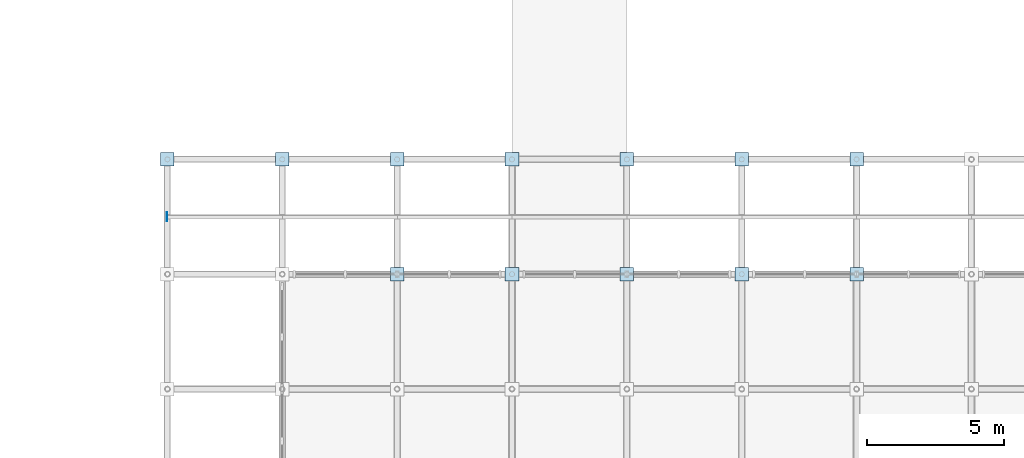
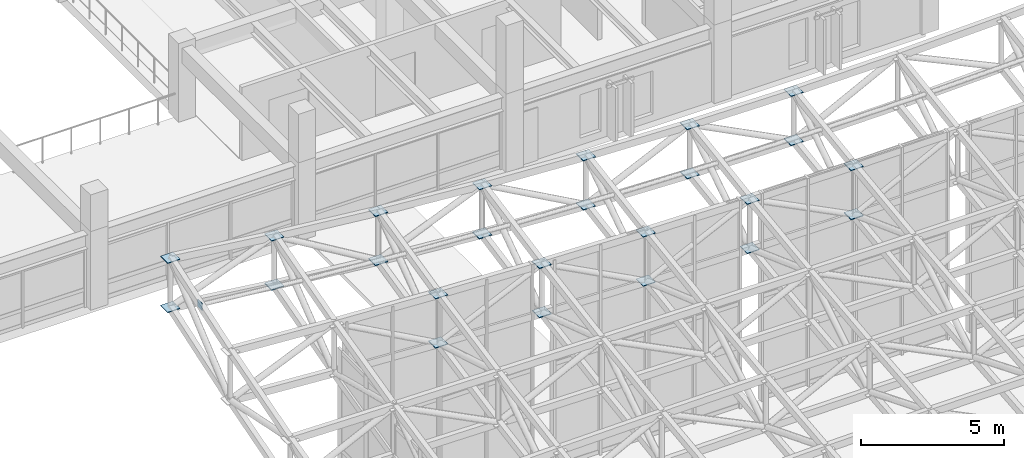
# One storey, part 79 of 123: 25 plates.
"""IFC4 building model written with IfcOpenShell, lengths in metres."""

from ifc_helpers import new_model, si_unit, direction, frame, origin, origin_2d, place, context, subcontext, project, spatial, rectangle, extrude, material, layer, layer_set, type_object, element, save


model = new_model("IFC4")

# Units and contexts
model_context = context("Model", 3, precision=1e-05, world=origin(), true_north=direction((0.0, 1.0)))
body_context = subcontext(model_context, "Body", "Model", "MODEL_VIEW")
ifc_project = project(units=[si_unit("LENGTHUNIT", "METRE"), si_unit("AREAUNIT", "SQUARE_METRE"), si_unit("VOLUMEUNIT", "CUBIC_METRE"), si_unit("PLANEANGLEUNIT", "RADIAN"), si_unit("MASSUNIT", "GRAM", prefix="KILO")], contexts=[model_context])

# Site, building, storey
site_placement = place(None, origin())
site = spatial("IfcSite", under=ifc_project, at=site_placement, CompositionType="ELEMENT")
building_placement = place(site_placement, origin())
building = spatial("IfcBuilding", under=site, at=building_placement, Name="Cumbredor Promenade Congress Hotel", CompositionType="ELEMENT")
storey_placement = place(building_placement, frame((0.0, 0.0, 11.760009765625)))
storey = spatial("IfcBuildingStorey", under=building, at=storey_placement, Name="L03", CompositionType="ELEMENT", Elevation=11.760009765625)

# Plates
ifc_material = material(Name="Steel ASTM A572 Grade 50", Category="steel")
ifc_layer_1 = layer(ifc_material, 0.02001953125, Name="Steel ASTM A572 Grade 50", Category="steel")
ifc_layer_set_1 = layer_set([ifc_layer_1], Name="Steel ASTM A572 Grade 50")
plate_type_1 = type_object("IfcPlateType", Name="Hollow Section End Cap Plate CP-05", PredefinedType="USERDEFINED", material=ifc_layer_set_1)
plate_placement = place(storey_placement, frame((138.592041015625, 69.300048828125, 10.1298828125), z_axis=(0.0, 0.0, 1.0), x_axis=(1.0, 0.0, 0.0)))
element("IfcPlate", 1, at=plate_placement, inside=storey, type_object=plate_type_1, Name="Grand Ballroom Pavilion Roof Eave Purlin 1.17 Start Cap Plate", ObjectType="CAP PLATE", PredefinedType="USERDEFINED", context=body_context, shape_type="SweptSolid", body=[
    extrude(rectangle(XDim=0.02001953125, YDim=0.320068359375, at=origin_2d()), origin(), (0.0, 0.0, 1.0), 0.320068359375),
])
ifc_layer_2 = layer(ifc_material, 0.031982421875, Name="Steel ASTM A572 Grade 50", Category="steel")
ifc_layer_set_2 = layer_set([ifc_layer_2], Name="Steel ASTM A572 Grade 50")
plate_type_2 = type_object("IfcPlateType", Name="Space Frame Node Assembly ND-02", PredefinedType="USERDEFINED", material=ifc_layer_set_2)
for number, where, z_axis, x_axis, name in (
    (2, (138.60009765625, 71.39990234375, 11.00146484375), (0.0, 0.0, 1.0), (1.0, 0.0, 0.0), "Grand Ballroom Pavilion Space Frame Top Node 1.18"),
    (3, (138.60009765625, 71.39990234375, 8.9013671875), (0.0, 0.0, 1.0), (1.0, 0.0, 0.0), "Grand Ballroom Pavilion Space Frame Bottom Node 1.18"),
    (4, (142.800048828125, 71.39990234375, 10.4853515625), (0.0, 0.0, 1.0), (1.0, 0.0, 0.0), "Grand Ballroom Pavilion Space Frame Top Node 2.18"),
    (5, (142.800048828125, 71.39990234375, 8.38525390625), (0.0, 0.0, 1.0), (1.0, 0.0, 0.0), "Grand Ballroom Pavilion Space Frame Bottom Node 2.18"),
    (6, (147.0, 67.199951171875, 9.08740234375), (0.0, 0.0, 1.0), (1.0, 0.0, 0.0), "Grand Ballroom Pavilion Space Frame Top Node 3.17"),
    (7, (147.0, 67.199951171875, 6.9873046875), (0.0, 0.0, 1.0), (1.0, 0.0, 0.0), "Grand Ballroom Pavilion Space Frame Bottom Node 3.17"),
    (8, (147.0, 71.39990234375, 10.0634765625), (0.0, 0.0, 1.0), (1.0, 0.0, 0.0), "Grand Ballroom Pavilion Space Frame Top Node 3.18"),
    (9, (147.0, 71.39990234375, 7.9638671875), (0.0, 0.0, 1.0), (1.0, 0.0, 0.0), "Grand Ballroom Pavilion Space Frame Bottom Node 3.18"),
    (10, (151.199951171875, 67.199951171875, 8.91455078125), (0.0, 0.0, 1.0), (1.0, 0.0, 0.0), "Grand Ballroom Pavilion Space Frame Top Node 4.17"),
    (11, (151.199951171875, 67.199951171875, 6.81494140625), (0.0, 0.0, 1.0), (1.0, 0.0, 0.0), "Grand Ballroom Pavilion Space Frame Bottom Node 4.17"),
    (12, (151.199951171875, 71.39990234375, 9.7353515625), (0.0, 0.0, 1.0), (1.0, 0.0, 0.0), "Grand Ballroom Pavilion Space Frame Top Node 4.18"),
    (13, (151.199951171875, 71.39990234375, 7.6357421875), (0.0, 0.0, 1.0), (1.0, 0.0, 0.0), "Grand Ballroom Pavilion Space Frame Bottom Node 4.18"),
    (14, (155.39990234375, 67.199951171875, 8.79150390625), (0.0, 0.0, 1.0), (1.0, 0.0, 0.0), "Grand Ballroom Pavilion Space Frame Top Node 5.17"),
    (15, (155.39990234375, 67.199951171875, 6.69140625), (0.0, 0.0, 1.0), (1.0, 0.0, 0.0), "Grand Ballroom Pavilion Space Frame Bottom Node 5.17"),
    (16, (155.39990234375, 71.39990234375, 9.5009765625), (0.0, 0.0, 1.0), (1.0, 0.0, 0.0), "Grand Ballroom Pavilion Space Frame Top Node 5.18"),
    (17, (155.39990234375, 71.39990234375, 7.40087890625), (0.0, 0.0, 1.0), (1.0, 0.0, 0.0), "Grand Ballroom Pavilion Space Frame Bottom Node 5.18"),
    (18, (159.60009765625, 67.199951171875, 8.71728515625), (0.0, 0.0, 1.0), (1.0, 0.0, 0.0), "Grand Ballroom Pavilion Space Frame Top Node 6.17"),
    (19, (159.60009765625, 67.199951171875, 6.6171875), (0.0, 0.0, 1.0), (1.0, 0.0, 0.0), "Grand Ballroom Pavilion Space Frame Bottom Node 6.17"),
    (20, (159.60009765625, 71.39990234375, 9.3603515625), (0.0, 0.0, 1.0), (1.0, 0.0, 0.0), "Grand Ballroom Pavilion Space Frame Top Node 6.18"),
    (21, (159.60009765625, 71.39990234375, 7.26025390625), (0.0, 0.0, 1.0), (1.0, 0.0, 0.0), "Grand Ballroom Pavilion Space Frame Bottom Node 6.18"),
    (22, (163.800048828125, 67.199951171875, 8.69287109375), (0.0, 0.0, 1.0), (1.0, 0.0, 0.0), "Grand Ballroom Pavilion Space Frame Top Node 7.17"),
    (23, (163.800048828125, 67.199951171875, 6.5927734375), (0.0, 0.0, 1.0), (1.0, 0.0, 0.0), "Grand Ballroom Pavilion Space Frame Bottom Node 7.17"),
    (24, (163.800048828125, 71.39990234375, 9.3134765625), (0.0, 0.0, 1.0), (1.0, 0.0, 0.0), "Grand Ballroom Pavilion Space Frame Top Node 7.18"),
    (25, (163.800048828125, 71.39990234375, 7.21337890625), (0.0, 0.0, 1.0), (1.0, 0.0, 0.0), "Grand Ballroom Pavilion Space Frame Bottom Node 7.18"),
):
    element("IfcPlate", number, at=place(storey_placement, frame(where, z_axis=z_axis, x_axis=x_axis)), inside=storey, type_object=plate_type_2, Name=name, ObjectType="GUSSET PLATE", PredefinedType="USERDEFINED", context=body_context, shape_type="SweptSolid", body=[
        extrude(rectangle(XDim=0.5, YDim=0.5, at=origin_2d()), origin(), (0.0, 0.0, 1.0), 0.031982421875),
    ])

save(model, "model.ifc")
